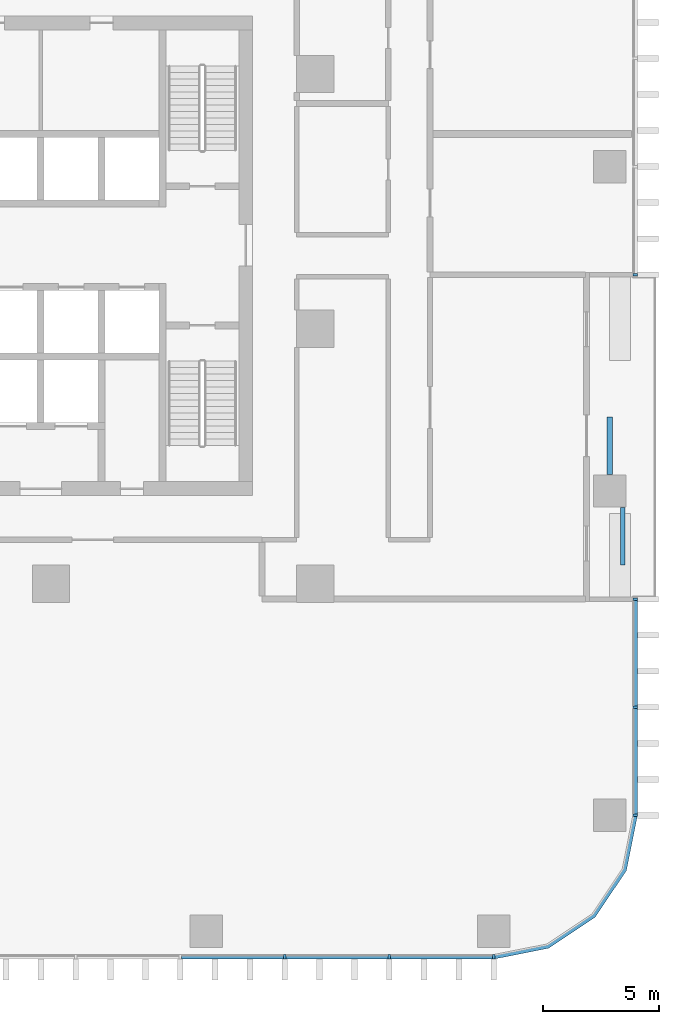
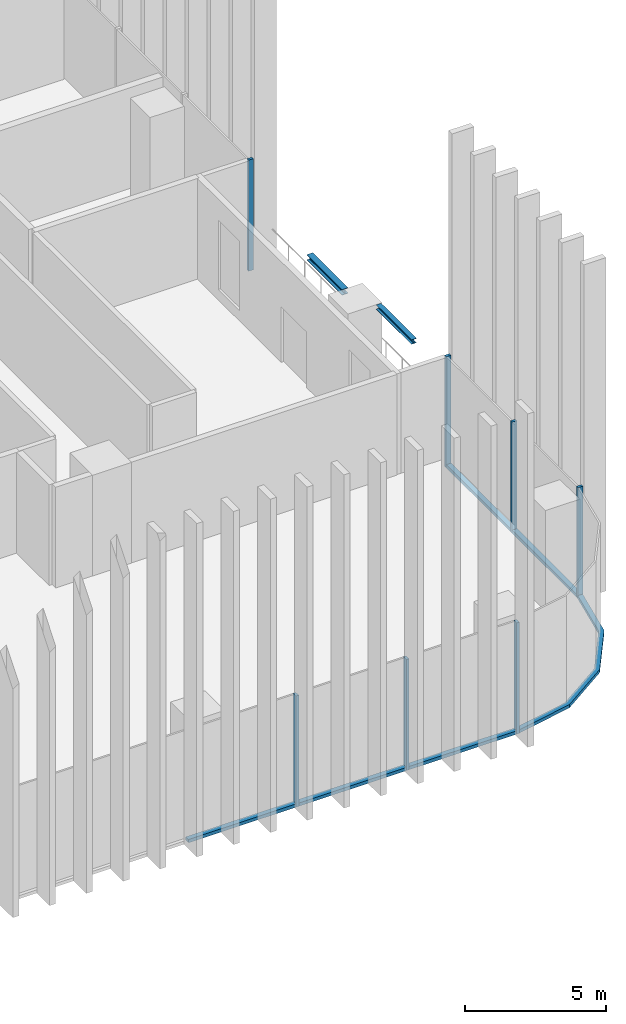
# One storey, part 3 of 17: 13 members, 2 beams, 4 elements without a shape of their own.
"""IFC4 building model written with IfcOpenShell, lengths in metres."""

from ifc_helpers import new_model, si_unit, direction, frame, origin, origin_2d, place, context, subcontext, project, spatial, polyline, rectangle, i_section, outline, extrude, material, material_profile, profile_set, type_object, element, aggregate, save


model = new_model("IFC4")

# Units and contexts
model_context = context("Model", 3, precision=1e-05, world=origin(), true_north=direction((0.0, 1.0)))
body_context = subcontext(model_context, "Body", "Model", "MODEL_VIEW")
ifc_project = project(units=[si_unit("LENGTHUNIT", "METRE"), si_unit("AREAUNIT", "SQUARE_METRE"), si_unit("VOLUMEUNIT", "CUBIC_METRE"), si_unit("PLANEANGLEUNIT", "RADIAN"), si_unit("MASSUNIT", "GRAM", prefix="KILO")], contexts=[model_context])

# Site, building, storey
site_placement = place(None, origin())
site = spatial("IfcSite", under=ifc_project, at=site_placement, CompositionType="ELEMENT")
building_placement = place(site_placement, origin())
building = spatial("IfcBuilding", under=site, at=building_placement, Name="Mopane Tessera Tower", CompositionType="ELEMENT")
storey_placement = place(building_placement, frame((0.0, 0.0, 45.39990234375)))
storey = spatial("IfcBuildingStorey", under=building, at=storey_placement, Name="L08", CompositionType="ELEMENT", Elevation=45.39990234375)

# Curtain wall, members
ifc_material_1 = material(Name="Aluminium frame", Category="aluminium")
curtain_wall_type = type_object("IfcCurtainWallType", Name="Lower tower unitised wall", PredefinedType="NOTDEFINED", material=ifc_material_1)
curtain_wall_1_placement = place(storey_placement, origin())
curtain_wall_1 = element("IfcCurtainWall", 1, at=curtain_wall_1_placement, inside=storey, type_object=curtain_wall_type, Name="e:cw:L08:S:0", PredefinedType="NOTDEFINED")
ifc_material_2 = material(Name="Aluminium frame", Category="aluminium")
ifc_material_profile_1 = material_profile(ifc_material_2, rectangle(XDim=0.110107421875, YDim=0.199951171875, at=origin_2d()))
ifc_profile_set_1 = profile_set([ifc_material_profile_1], Name="Aluminium frame")
member_type_1 = type_object("IfcMemberType", Name="Aluminium mullion 110 x 200", PredefinedType="MULLION", material=ifc_profile_set_1)
member_1_placement = place(storey_placement, frame((15.78173828125, -27.10009765625, -0.449951171875), z_axis=(0.0, 0.0, 1.0), x_axis=(1.0, 0.0, 0.0)))
member_1 = element("IfcMember", 2, at=member_1_placement, type_object=member_type_1, Name="e:cw:L08:S:0:mu9", PredefinedType="MULLION", context=body_context, shape_type="SweptSolid", body=[
    extrude(rectangle(XDim=0.110107421875, YDim=0.199951171875, at=origin_2d()), origin(), (0.0, 0.0, 1.0), 4.800048828125),
])
member_2_placement = place(storey_placement, frame((20.291015625, -27.10009765625, -0.449951171875), z_axis=(0.0, 0.0, 1.0), x_axis=(1.0, 0.0, 0.0)))
member_2 = element("IfcMember", 3, at=member_2_placement, type_object=member_type_1, Name="e:cw:L08:S:0:mu10", PredefinedType="MULLION", context=body_context, shape_type="SweptSolid", body=[
    extrude(rectangle(XDim=0.110107421875, YDim=0.199951171875, at=origin_2d()), origin(), (0.0, 0.0, 1.0), 4.800048828125),
])
member_3_placement = place(storey_placement, frame((24.800048828125, -27.10009765625, -0.449951171875), z_axis=(0.0, 0.0, 1.0), x_axis=(1.0, 0.0, 0.0)))
member_3 = element("IfcMember", 4, at=member_3_placement, type_object=member_type_1, Name="e:cw:L08:S:0:mu11", PredefinedType="MULLION", context=body_context, shape_type="SweptSolid", body=[
    extrude(rectangle(XDim=0.110107421875, YDim=0.199951171875, at=origin_2d()), origin(), (0.0, 0.0, 1.0), 4.800048828125),
])

curtain_wall_2_placement = place(storey_placement, origin())
curtain_wall_2 = element("IfcCurtainWall", 5, at=curtain_wall_2_placement, inside=storey, type_object=curtain_wall_type, Name="e:cw:L08:E:0", PredefinedType="NOTDEFINED")
member_4_placement = place(storey_placement, frame((30.89990234375, -21.0, -0.449951171875), z_axis=(0.0, 0.0, 1.0), x_axis=(0.0, 1.0, 0.0)))
member_4 = element("IfcMember", 6, at=member_4_placement, type_object=member_type_1, Name="e:cw:L08:E:0:mu0", PredefinedType="MULLION", context=body_context, shape_type="SweptSolid", body=[
    extrude(rectangle(XDim=0.110107421875, YDim=0.199951171875, at=origin_2d()), origin(), (0.0, 0.0, 1.0), 4.800048828125),
])
member_5_placement = place(storey_placement, frame((30.89990234375, -16.333251953125, -0.449951171875), z_axis=(0.0, 0.0, 1.0), x_axis=(0.0, 1.0, 0.0)))
member_5 = element("IfcMember", 7, at=member_5_placement, type_object=member_type_1, Name="e:cw:L08:E:0:mu1", PredefinedType="MULLION", context=body_context, shape_type="SweptSolid", body=[
    extrude(rectangle(XDim=0.110107421875, YDim=0.199951171875, at=origin_2d()), origin(), (0.0, 0.0, 1.0), 4.800048828125),
])
member_6_placement = place(storey_placement, frame((30.89990234375, -11.666748046875, -0.449951171875), z_axis=(0.0, 0.0, 1.0), x_axis=(0.0, 1.0, 0.0)))
member_6 = element("IfcMember", 8, at=member_6_placement, type_object=member_type_1, Name="e:cw:L08:E:0:mu2", PredefinedType="MULLION", context=body_context, shape_type="SweptSolid", body=[
    extrude(rectangle(XDim=0.110107421875, YDim=0.199951171875, at=origin_2d()), origin(), (0.0, 0.0, 1.0), 4.800048828125),
])

# Curtain wall, member
curtain_wall_3_placement = place(storey_placement, origin())
curtain_wall_3 = element("IfcCurtainWall", 9, at=curtain_wall_3_placement, inside=storey, type_object=curtain_wall_type, Name="e:cw:L08:E:5", PredefinedType="NOTDEFINED")
member_7_placement = place(storey_placement, frame((30.89990234375, 2.333251953125, -0.449951171875), z_axis=(0.0, 0.0, 1.0), x_axis=(0.0, 1.0, 0.0)))
member_7 = element("IfcMember", 10, at=member_7_placement, type_object=member_type_1, Name="e:cw:L08:E:5:mu5", PredefinedType="MULLION", context=body_context, shape_type="SweptSolid", body=[
    extrude(rectangle(XDim=0.110107421875, YDim=0.199951171875, at=origin_2d()), origin(), (0.0, 0.0, 1.0), 4.800048828125),
])
aggregate(curtain_wall_3, [member_7])

# Member
ifc_material_3 = material(Name="Aluminium frame", Category="aluminium")
ifc_material_profile_2 = material_profile(ifc_material_3, rectangle(XDim=0.199951171875, YDim=0.139892578125, at=origin_2d()))
ifc_profile_set_2 = profile_set([ifc_material_profile_2], Name="Aluminium frame")
member_type_2 = type_object("IfcMemberType", Name="Aluminium transom 200 x 140", PredefinedType="USERDEFINED", material=ifc_profile_set_2)
member_8_placement = place(storey_placement, frame((11.32763671875, -27.10009765625, -0.3798828125), z_axis=(1.0, 0.0, 0.0), x_axis=(0.0, 1.0, 0.0)))
member_8 = element("IfcMember", 11, at=member_8_placement, type_object=member_type_2, Name="e:cw:L08:S:0:tr8", ObjectType="TRANSOM", PredefinedType="USERDEFINED", context=body_context, shape_type="SweptSolid", body=[
    extrude(rectangle(XDim=0.199951171875, YDim=0.139892578125, at=origin_2d()), origin(), (0.0, 0.0, 1.0), 4.399169921875),
])

member_9_placement = place(storey_placement, frame((15.8369140625, -27.10009765625, -0.3798828125), z_axis=(1.0, 0.0, 0.0), x_axis=(0.0, 1.0, 0.0)))
member_9 = element("IfcMember", 12, at=member_9_placement, type_object=member_type_2, Name="e:cw:L08:S:0:tr9", ObjectType="TRANSOM", PredefinedType="USERDEFINED", context=body_context, shape_type="SweptSolid", body=[
    extrude(rectangle(XDim=0.199951171875, YDim=0.139892578125, at=origin_2d()), origin(), (0.0, 0.0, 1.0), 4.39892578125),
])

member_10_placement = place(storey_placement, frame((20.345947265625, -27.10009765625, -0.3798828125), z_axis=(1.0, 0.0, 0.0), x_axis=(0.0, 1.0, 0.0)))
member_10 = element("IfcMember", 13, at=member_10_placement, type_object=member_type_2, Name="e:cw:L08:S:0:tr10", ObjectType="TRANSOM", PredefinedType="USERDEFINED", context=body_context, shape_type="SweptSolid", body=[
    extrude(rectangle(XDim=0.199951171875, YDim=0.139892578125, at=origin_2d()), origin(), (0.0, 0.0, 1.0), 4.399169921875),
])

aggregate(curtain_wall_1, [member_1, member_2, member_3, member_8, member_9, member_10])

# Curtain wall, member
curtain_wall_4_placement = place(storey_placement, origin())
curtain_wall_4 = element("IfcCurtainWall", 14, at=curtain_wall_4_placement, inside=storey, type_object=curtain_wall_type, Name="e:cw:L08:CS", PredefinedType="NOTDEFINED")
member_11_placement = place(storey_placement, frame((0.0, 0.0, -0.449951171875)))
member_11 = element("IfcMember", 15, at=member_11_placement, type_object=member_type_2, Name="e:cw:L08:CS:tr", ObjectType="TRANSOM", PredefinedType="USERDEFINED", context=body_context, shape_type="SweptSolid", body=[
    extrude(outline(polyline([(24.800048828125, -27.0), (27.09619140625, -26.543212890625), (29.042724609375, -25.24267578125), (30.34326171875, -23.296142578125), (30.800048828125, -21.0), (31.0, -21.0), (30.528076171875, -23.37255859375), (29.18408203125, -25.384033203125), (27.172607421875, -26.72802734375), (24.800048828125, -27.199951171875), (24.800048828125, -27.0)])), origin(), (0.0, 0.0, 1.0), 0.14013671875),
])
aggregate(curtain_wall_4, [member_11])

# Member
member_12_placement = place(storey_placement, frame((30.89990234375, -20.945068359375, -0.3798828125), z_axis=(0.0, 1.0, 0.0), x_axis=(-1.0, 0.0, 0.0)))
member_12 = element("IfcMember", 16, at=member_12_placement, type_object=member_type_2, Name="e:cw:L08:E:0:tr0", ObjectType="TRANSOM", PredefinedType="USERDEFINED", context=body_context, shape_type="SweptSolid", body=[
    extrude(rectangle(XDim=0.199951171875, YDim=0.139892578125, at=origin_2d()), origin(), (0.0, 0.0, 1.0), 4.556640625),
])

member_13_placement = place(storey_placement, frame((30.89990234375, -16.2783203125, -0.3798828125), z_axis=(0.0, 1.0, 0.0), x_axis=(-1.0, 0.0, 0.0)))
member_13 = element("IfcMember", 17, at=member_13_placement, type_object=member_type_2, Name="e:cw:L08:E:0:tr1", ObjectType="TRANSOM", PredefinedType="USERDEFINED", context=body_context, shape_type="SweptSolid", body=[
    extrude(rectangle(XDim=0.199951171875, YDim=0.139892578125, at=origin_2d()), origin(), (0.0, 0.0, 1.0), 4.556640625),
])

aggregate(curtain_wall_2, [member_4, member_5, member_6, member_12, member_13])

# Beams
ifc_material_4 = material(Name="Structural steel S460", Category="steel")
ifc_material_profile_3 = material_profile(ifc_material_4, i_section(OverallWidth=0.239990234375, OverallDepth=0.239990234375, WebThickness=0.010009765625, FlangeThickness=0.01708984375, FilletRadius=0.02099609375, at=origin_2d()))
ifc_profile_set_3 = profile_set([ifc_material_profile_3], Name="Structural steel S460")
beam_type_1 = type_object("IfcBeamType", Name="Terrace spandrel beam HE 240 B", PredefinedType="SPANDREL", material=ifc_profile_set_3)
beam_1_placement = place(storey_placement, frame((29.800048828125, -6.297119140625, 4.22998046875), z_axis=(0.0, 1.0, 0.0), x_axis=(-1.0, 0.0, 0.0)))
element("IfcBeam", 18, at=beam_1_placement, inside=storey, type_object=beam_type_1, Name="Terrace spandrel beam N1 L09", PredefinedType="SPANDREL", context=body_context, shape_type="SweptSolid", body=[
    extrude(i_section(OverallWidth=0.239990234375, OverallDepth=0.239990234375, WebThickness=0.010009765625, FlangeThickness=0.01708984375, FilletRadius=0.02099609375, at=origin_2d()), origin(), (0.0, 0.0, 1.0), 2.5),
])
ifc_material_5 = material(Name="Structural steel S460", Category="steel")
ifc_material_profile_4 = material_profile(ifc_material_5, i_section(OverallWidth=0.199951171875, OverallDepth=0.199951171875, WebThickness=0.009033203125, FlangeThickness=0.014892578125, FilletRadius=0.01806640625, at=origin_2d()))
ifc_profile_set_4 = profile_set([ifc_material_profile_4], Name="Structural steel S460")
beam_type_2 = type_object("IfcBeamType", Name="Terrace trimmer beam HE 200 B", PredefinedType="BEAM", material=ifc_profile_set_4)
beam_2_placement = place(storey_placement, frame((30.360107421875, -7.702880859375, 4.25), z_axis=(0.0, -1.0, 0.0), x_axis=(1.0, 0.0, 0.0)))
element("IfcBeam", 19, at=beam_2_placement, inside=storey, type_object=beam_type_2, Name="Terrace trimmer beam N1 L09", PredefinedType="BEAM", context=body_context, shape_type="SweptSolid", body=[
    extrude(i_section(OverallWidth=0.199951171875, OverallDepth=0.199951171875, WebThickness=0.009033203125, FlangeThickness=0.014892578125, FilletRadius=0.01806640625, at=origin_2d()), origin(), (0.0, 0.0, 1.0), 2.5),
])

save(model, "model.ifc")
